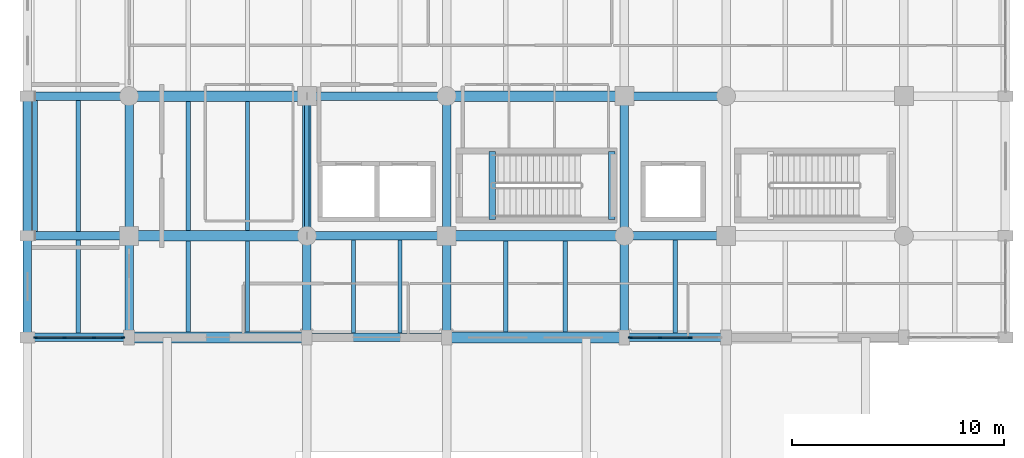
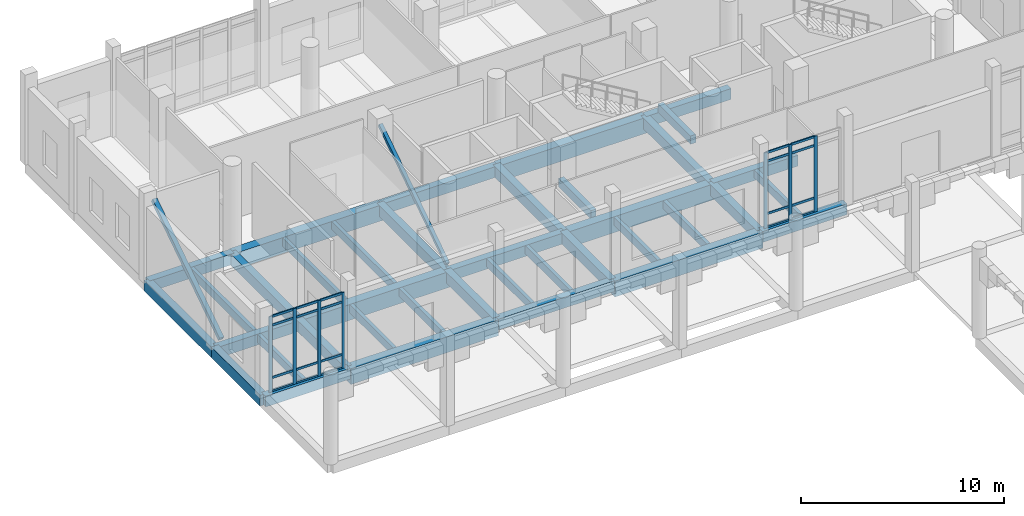
# One storey, part 16 of 72: 38 beams, 29 members, 2 elements without a shape of their own.
"""IFC4 building model written with IfcOpenShell, lengths in metres."""

from ifc_helpers import new_model, si_unit, direction, frame, origin, origin_2d, place, context, subcontext, project, spatial, rectangle, hollow_rectangle, extrude, material, material_profile, profile_set, type_object, element, aggregate, save


model = new_model("IFC4")

# Units and contexts
model_context = context("Model", 3, precision=1e-05, world=origin(), true_north=direction((0.0, 1.0)))
body_context = subcontext(model_context, "Body", "Model", "MODEL_VIEW")
ifc_project = project(units=[si_unit("LENGTHUNIT", "METRE"), si_unit("AREAUNIT", "SQUARE_METRE"), si_unit("VOLUMEUNIT", "CUBIC_METRE"), si_unit("PLANEANGLEUNIT", "RADIAN"), si_unit("MASSUNIT", "GRAM", prefix="KILO")], contexts=[model_context])

# Site, building, storey
site_placement = place(None, origin())
site = spatial("IfcSite", under=ifc_project, at=site_placement, CompositionType="ELEMENT")
building_placement = place(site_placement, origin())
building = spatial("IfcBuilding", under=site, at=building_placement, Name="Dornvale Research Institute", CompositionType="ELEMENT")
storey_placement = place(building_placement, origin())
storey = spatial("IfcBuildingStorey", under=building, at=storey_placement, Name="L00", CompositionType="ELEMENT", Elevation=0.0)

# Beams
ifc_material_1 = material(Name="Concrete f'c 45 MPa (C35/45)", Category="concrete")
ifc_material_profile_1 = material_profile(ifc_material_1, rectangle(XDim=0.300048828125, YDim=0.5, at=origin_2d()), Name="RC 300x500")
ifc_profile_set_1 = profile_set([ifc_material_profile_1], Name="Concrete f'c 45 MPa (C35/45)")
beam_type_1 = type_object("IfcBeamType", Name="Beam_RC300x500_Trim", PredefinedType="BEAM", material=ifc_profile_set_1)
for number, where, z_axis, x_axis, name in (
    (1, (21.949951171875, 104.580078125, -0.25), (0.0, 1.0, 0.0), (-1.0, 0.0, 0.0), "L00 ST-1 stair landing trimmer beam #1"),
    (2, (27.60009765625, 104.580078125, 2.25), (0.0, 1.0, 0.0), (-1.0, 0.0, 0.0), "L00 ST-1 half-landing support beam #14"),
):
    element("IfcBeam", number, at=place(storey_placement, frame(where, z_axis=z_axis, x_axis=x_axis)), inside=storey, type_object=beam_type_1, Name=name, PredefinedType="BEAM", context=body_context, shape_type="SweptSolid", body=[
        extrude(rectangle(XDim=0.300048828125, YDim=0.5, at=origin_2d()), origin(), (0.0, 0.0, 1.0), 3.199951171875),
    ])
ifc_material_2 = material(Name="Concrete f'c 45 MPa (C35/45)", Category="concrete")
ifc_material_profile_2 = material_profile(ifc_material_2, rectangle(XDim=0.39990234375, YDim=0.64990234375, at=origin_2d()), Name="RC 400x650")
ifc_profile_set_2 = profile_set([ifc_material_profile_2], Name="Concrete f'c 45 MPa (C35/45)")
beam_type_2 = type_object("IfcBeamType", Name="Beam_RC400x650_Floor", PredefinedType="BEAM", material=ifc_profile_set_2)
beam_1_placement = place(storey_placement, frame((0.0, 99.0, -0.324951171875), z_axis=(1.0, 0.0, 0.0), x_axis=(0.0, 1.0, 0.0)))
element("IfcBeam", 3, at=beam_1_placement, inside=storey, type_object=beam_type_2, Name="L00 primary girder #1", PredefinedType="BEAM", context=body_context, shape_type="SweptSolid", body=[
    extrude(rectangle(XDim=0.39990234375, YDim=0.64990234375, at=origin_2d()), origin(), (0.0, 0.0, 1.0), 4.800048828125),
])
beam_2_placement = place(storey_placement, frame((13.199951171875, 99.0, -0.324951171875), z_axis=(1.0, 0.0, 0.0), x_axis=(0.0, 1.0, 0.0)))
element("IfcBeam", 4, at=beam_2_placement, inside=storey, type_object=beam_type_2, Name="L00 primary girder #3", PredefinedType="BEAM", context=body_context, shape_type="SweptSolid", body=[
    extrude(rectangle(XDim=0.39990234375, YDim=0.64990234375, at=origin_2d()), origin(), (0.0, 0.0, 1.0), 6.60009765625),
])
for number, where, z_axis, x_axis, name in (
    (5, (28.199951171875, 99.0, -0.324951171875), (1.0, 0.0, 0.0), (0.0, 1.0, 0.0), "L00 primary girder #5"),
    (6, (0.0, 103.800048828125, -0.324951171875), (1.0, 0.0, 0.0), (0.0, 1.0, 0.0), "L00 primary girder #8"),
):
    element("IfcBeam", number, at=place(storey_placement, frame(where, z_axis=z_axis, x_axis=x_axis)), inside=storey, type_object=beam_type_2, Name=name, PredefinedType="BEAM", context=body_context, shape_type="SweptSolid", body=[
        extrude(rectangle(XDim=0.39990234375, YDim=0.64990234375, at=origin_2d()), origin(), (0.0, 0.0, 1.0), 4.800048828125),
    ])
beam_3_placement = place(storey_placement, frame((13.199951171875, 103.800048828125, -0.324951171875), z_axis=(1.0, 0.0, 0.0), x_axis=(0.0, 1.0, 0.0)))
element("IfcBeam", 7, at=beam_3_placement, inside=storey, type_object=beam_type_2, Name="L00 primary girder #10", PredefinedType="BEAM", context=body_context, shape_type="SweptSolid", body=[
    extrude(rectangle(XDim=0.39990234375, YDim=0.64990234375, at=origin_2d()), origin(), (0.0, 0.0, 1.0), 6.60009765625),
])
for number, where, z_axis, x_axis, name in (
    (8, (28.199951171875, 103.800048828125, -0.324951171875), (1.0, 0.0, 0.0), (0.0, 1.0, 0.0), "L00 primary girder #12"),
    (9, (0.0, 110.39990234375, -0.324951171875), (1.0, 0.0, 0.0), (0.0, 1.0, 0.0), "L00 primary girder #15"),
):
    element("IfcBeam", number, at=place(storey_placement, frame(where, z_axis=z_axis, x_axis=x_axis)), inside=storey, type_object=beam_type_2, Name=name, PredefinedType="BEAM", context=body_context, shape_type="SweptSolid", body=[
        extrude(rectangle(XDim=0.39990234375, YDim=0.64990234375, at=origin_2d()), origin(), (0.0, 0.0, 1.0), 4.800048828125),
    ])
beam_4_placement = place(storey_placement, frame((13.199951171875, 110.39990234375, -0.324951171875), z_axis=(1.0, 0.0, 0.0), x_axis=(0.0, 1.0, 0.0)))
element("IfcBeam", 10, at=beam_4_placement, inside=storey, type_object=beam_type_2, Name="L00 primary girder #17", PredefinedType="BEAM", context=body_context, shape_type="SweptSolid", body=[
    extrude(rectangle(XDim=0.39990234375, YDim=0.64990234375, at=origin_2d()), origin(), (0.0, 0.0, 1.0), 6.60009765625),
])
for number, where, z_axis, x_axis, name in (
    (11, (28.199951171875, 110.39990234375, -0.324951171875), (1.0, 0.0, 0.0), (0.0, 1.0, 0.0), "L00 primary girder #19"),
    (12, (0.0, 99.0, -0.324951171875), (0.0, 1.0, 0.0), (-1.0, 0.0, 0.0), "L00 transverse girder #36"),
):
    element("IfcBeam", number, at=place(storey_placement, frame(where, z_axis=z_axis, x_axis=x_axis)), inside=storey, type_object=beam_type_2, Name=name, PredefinedType="BEAM", context=body_context, shape_type="SweptSolid", body=[
        extrude(rectangle(XDim=0.39990234375, YDim=0.64990234375, at=origin_2d()), origin(), (0.0, 0.0, 1.0), 4.800048828125),
    ])
beam_5_placement = place(storey_placement, frame((0.0, 103.800048828125, -0.324951171875), z_axis=(0.0, 1.0, 0.0), x_axis=(-1.0, 0.0, 0.0)))
element("IfcBeam", 13, at=beam_5_placement, inside=storey, type_object=beam_type_2, Name="L00 transverse girder #37", PredefinedType="BEAM", context=body_context, shape_type="SweptSolid", body=[
    extrude(rectangle(XDim=0.39990234375, YDim=0.64990234375, at=origin_2d()), origin(), (0.0, 0.0, 1.0), 6.599853515625),
])
beam_6_placement = place(storey_placement, frame((4.800048828125, 99.0, -0.324951171875), z_axis=(0.0, 1.0, 0.0), x_axis=(-1.0, 0.0, 0.0)))
element("IfcBeam", 14, at=beam_6_placement, inside=storey, type_object=beam_type_2, Name="L00 transverse girder #40", PredefinedType="BEAM", context=body_context, shape_type="SweptSolid", body=[
    extrude(rectangle(XDim=0.39990234375, YDim=0.64990234375, at=origin_2d()), origin(), (0.0, 0.0, 1.0), 4.800048828125),
])
beam_7_placement = place(storey_placement, frame((4.800048828125, 103.800048828125, -0.324951171875), z_axis=(0.0, 1.0, 0.0), x_axis=(-1.0, 0.0, 0.0)))
element("IfcBeam", 15, at=beam_7_placement, inside=storey, type_object=beam_type_2, Name="L00 transverse girder #41", PredefinedType="BEAM", context=body_context, shape_type="SweptSolid", body=[
    extrude(rectangle(XDim=0.39990234375, YDim=0.64990234375, at=origin_2d()), origin(), (0.0, 0.0, 1.0), 6.599853515625),
])
beam_8_placement = place(storey_placement, frame((13.199951171875, 99.0, -0.324951171875), z_axis=(0.0, 1.0, 0.0), x_axis=(-1.0, 0.0, 0.0)))
element("IfcBeam", 16, at=beam_8_placement, inside=storey, type_object=beam_type_2, Name="L00 transverse girder #44", PredefinedType="BEAM", context=body_context, shape_type="SweptSolid", body=[
    extrude(rectangle(XDim=0.39990234375, YDim=0.64990234375, at=origin_2d()), origin(), (0.0, 0.0, 1.0), 4.800048828125),
])
beam_9_placement = place(storey_placement, frame((13.199951171875, 103.800048828125, -0.324951171875), z_axis=(0.0, 1.0, 0.0), x_axis=(-1.0, 0.0, 0.0)))
element("IfcBeam", 17, at=beam_9_placement, inside=storey, type_object=beam_type_2, Name="L00 transverse girder #45", PredefinedType="BEAM", context=body_context, shape_type="SweptSolid", body=[
    extrude(rectangle(XDim=0.39990234375, YDim=0.64990234375, at=origin_2d()), origin(), (0.0, 0.0, 1.0), 6.599853515625),
])
beam_10_placement = place(storey_placement, frame((19.800048828125, 99.0, -0.324951171875), z_axis=(0.0, 1.0, 0.0), x_axis=(-1.0, 0.0, 0.0)))
element("IfcBeam", 18, at=beam_10_placement, inside=storey, type_object=beam_type_2, Name="L00 transverse girder #48", PredefinedType="BEAM", context=body_context, shape_type="SweptSolid", body=[
    extrude(rectangle(XDim=0.39990234375, YDim=0.64990234375, at=origin_2d()), origin(), (0.0, 0.0, 1.0), 4.800048828125),
])
beam_11_placement = place(storey_placement, frame((19.800048828125, 103.800048828125, -0.324951171875), z_axis=(0.0, 1.0, 0.0), x_axis=(-1.0, 0.0, 0.0)))
element("IfcBeam", 19, at=beam_11_placement, inside=storey, type_object=beam_type_2, Name="L00 transverse girder #49", PredefinedType="BEAM", context=body_context, shape_type="SweptSolid", body=[
    extrude(rectangle(XDim=0.39990234375, YDim=0.64990234375, at=origin_2d()), origin(), (0.0, 0.0, 1.0), 6.599853515625),
])
beam_12_placement = place(storey_placement, frame((28.199951171875, 99.0, -0.324951171875), z_axis=(0.0, 1.0, 0.0), x_axis=(-1.0, 0.0, 0.0)))
element("IfcBeam", 20, at=beam_12_placement, inside=storey, type_object=beam_type_2, Name="L00 transverse girder #52", PredefinedType="BEAM", context=body_context, shape_type="SweptSolid", body=[
    extrude(rectangle(XDim=0.39990234375, YDim=0.64990234375, at=origin_2d()), origin(), (0.0, 0.0, 1.0), 4.800048828125),
])
beam_13_placement = place(storey_placement, frame((28.199951171875, 103.800048828125, -0.324951171875), z_axis=(0.0, 1.0, 0.0), x_axis=(-1.0, 0.0, 0.0)))
element("IfcBeam", 21, at=beam_13_placement, inside=storey, type_object=beam_type_2, Name="L00 transverse girder #53", PredefinedType="BEAM", context=body_context, shape_type="SweptSolid", body=[
    extrude(rectangle(XDim=0.39990234375, YDim=0.64990234375, at=origin_2d()), origin(), (0.0, 0.0, 1.0), 6.599853515625),
])
ifc_material_3 = material(Name="Concrete f'c 45 MPa (C35/45)", Category="concrete")
ifc_material_profile_3 = material_profile(ifc_material_3, rectangle(XDim=0.5, YDim=0.949951171875, at=origin_2d()), Name="RC 500x950")
ifc_profile_set_3 = profile_set([ifc_material_profile_3], Name="Concrete f'c 45 MPa (C35/45)")
beam_type_3 = type_object("IfcBeamType", Name="Beam_RC500x950_Girder", PredefinedType="BEAM", material=ifc_profile_set_3)
for number, where, z_axis, x_axis, name in (
    (22, (4.800048828125, 99.0, -0.47509765625), (1.0, 0.0, 0.0), (0.0, 1.0, 0.0), "L00 primary girder #2"),
    (23, (19.800048828125, 99.0, -0.47509765625), (1.0, 0.0, 0.0), (0.0, 1.0, 0.0), "L00 primary girder #4"),
    (24, (4.800048828125, 103.800048828125, -0.47509765625), (1.0, 0.0, 0.0), (0.0, 1.0, 0.0), "L00 primary girder #9"),
    (25, (19.800048828125, 103.800048828125, -0.47509765625), (1.0, 0.0, 0.0), (0.0, 1.0, 0.0), "L00 primary girder #11"),
    (26, (4.800048828125, 110.39990234375, -0.47509765625), (1.0, 0.0, 0.0), (0.0, 1.0, 0.0), "L00 primary girder #16"),
    (27, (19.800048828125, 110.39990234375, -0.47509765625), (1.0, 0.0, 0.0), (0.0, 1.0, 0.0), "L00 primary girder #18"),
):
    element("IfcBeam", number, at=place(storey_placement, frame(where, z_axis=z_axis, x_axis=x_axis)), inside=storey, type_object=beam_type_3, Name=name, PredefinedType="BEAM", context=body_context, shape_type="SweptSolid", body=[
        extrude(rectangle(XDim=0.5, YDim=0.949951171875, at=origin_2d()), origin(), (0.0, 0.0, 1.0), 8.39990234375),
    ])

# Members
ifc_material_4 = material(Name="Steel ASTM A500 Grade C", Category="steel")
ifc_material_profile_4 = material_profile(ifc_material_4, hollow_rectangle(XDim=0.202880859375, YDim=0.202880859375, WallThickness=0.0087890625, at=origin_2d()), Name="HSS203X203X9.5")
ifc_profile_set_4 = profile_set([ifc_material_profile_4], Name="Steel ASTM A500 Grade C")
member_type_1 = type_object("IfcMemberType", Name="Brace_HSS203X203_Int", PredefinedType="BRACE", material=ifc_profile_set_4)
member_1_placement = place(storey_placement, frame((13.199951171875, 103.800048828125, 0.300048828125), z_axis=(0.0, 0.834961107536, 0.55030895768), x_axis=(-1.0, 0.0, 0.0)))
element("IfcMember", 28, at=member_1_placement, inside=storey, type_object=member_type_1, Name="L00 seismic diagonal brace #37", PredefinedType="BRACE", context=body_context, shape_type="SweptSolid", body=[
    extrude(hollow_rectangle(XDim=0.202880859375, YDim=0.202880859375, WallThickness=0.0087890625, at=origin_2d()), origin(), (0.0, 0.0, 1.0), 7.904296875),
])
ifc_material_5 = material(Name="Steel ASTM A500 Grade C", Category="steel")
ifc_material_profile_5 = material_profile(ifc_material_5, hollow_rectangle(XDim=0.25390625, YDim=0.25390625, WallThickness=0.01171875, at=origin_2d()), Name="HSS254X254X12.7")
ifc_profile_set_5 = profile_set([ifc_material_profile_5], Name="Steel ASTM A500 Grade C")
member_type_2 = type_object("IfcMemberType", Name="Brace_HSS254X254_Int", PredefinedType="BRACE", material=ifc_profile_set_5)
member_2_placement = place(storey_placement, frame((0.360107421875, 103.800048828125, 0.300048828125), z_axis=(0.0, 0.834961107536, 0.55030895768), x_axis=(-1.0, 0.0, 0.0)))
element("IfcMember", 29, at=member_2_placement, inside=storey, type_object=member_type_2, Name="L00 seismic diagonal brace #32", PredefinedType="BRACE", context=body_context, shape_type="SweptSolid", body=[
    extrude(hollow_rectangle(XDim=0.25390625, YDim=0.25390625, WallThickness=0.01171875, at=origin_2d()), origin(), (0.0, 0.0, 1.0), 7.904296875),
])

# Beams
ifc_material_6 = material(Name="Concrete f'c 45 MPa (C35/45)", Category="concrete")
ifc_material_profile_6 = material_profile(ifc_material_6, rectangle(XDim=0.199951171875, YDim=0.485107421875, at=origin_2d()), Name="RC 200x485")
ifc_profile_set_6 = profile_set([ifc_material_profile_6], Name="Concrete f'c 45 MPa (C35/45)")
beam_type_4 = type_object("IfcBeamType", Name="Joist_RC200x485_Rib", PredefinedType="JOIST", material=ifc_profile_set_6)
beam_14_placement = place(storey_placement, frame((2.39990234375, 99.199951171875, -0.242431640625), z_axis=(0.0, 1.0, 0.0), x_axis=(-1.0, 0.0, 0.0)))
element("IfcBeam", 30, at=beam_14_placement, inside=storey, type_object=beam_type_4, Name="L00 laboratory waffle joist #1", PredefinedType="JOIST", context=body_context, shape_type="SweptSolid", body=[
    extrude(rectangle(XDim=0.199951171875, YDim=0.485107421875, at=origin_2d()), origin(), (0.0, 0.0, 1.0), 4.400146484375),
])
beam_15_placement = place(storey_placement, frame((2.39990234375, 104.0, -0.242431640625), z_axis=(0.0, 1.0, 0.0), x_axis=(-1.0, 0.0, 0.0)))
element("IfcBeam", 31, at=beam_15_placement, inside=storey, type_object=beam_type_4, Name="L00 laboratory waffle joist #2", PredefinedType="JOIST", context=body_context, shape_type="SweptSolid", body=[
    extrude(rectangle(XDim=0.199951171875, YDim=0.485107421875, at=origin_2d()), origin(), (0.0, 0.0, 1.0), 6.199951171875),
])
for number, where, z_axis, x_axis, name in (
    (32, (7.60009765625, 99.25, -0.242431640625), (0.0, 1.0, 0.0), (-1.0, 0.0, 0.0), "L00 laboratory waffle joist #5"),
    (33, (10.39990234375, 99.25, -0.242431640625), (0.0, 1.0, 0.0), (-1.0, 0.0, 0.0), "L00 laboratory waffle joist #6"),
):
    element("IfcBeam", number, at=place(storey_placement, frame(where, z_axis=z_axis, x_axis=x_axis)), inside=storey, type_object=beam_type_4, Name=name, PredefinedType="JOIST", context=body_context, shape_type="SweptSolid", body=[
        extrude(rectangle(XDim=0.199951171875, YDim=0.485107421875, at=origin_2d()), origin(), (0.0, 0.0, 1.0), 4.300048828125),
    ])
for number, where, z_axis, x_axis, name in (
    (34, (7.60009765625, 104.050048828125, -0.242431640625), (0.0, 1.0, 0.0), (-1.0, 0.0, 0.0), "L00 laboratory waffle joist #7"),
    (35, (10.39990234375, 104.050048828125, -0.242431640625), (0.0, 1.0, 0.0), (-1.0, 0.0, 0.0), "L00 laboratory waffle joist #8"),
):
    element("IfcBeam", number, at=place(storey_placement, frame(where, z_axis=z_axis, x_axis=x_axis)), inside=storey, type_object=beam_type_4, Name=name, PredefinedType="JOIST", context=body_context, shape_type="SweptSolid", body=[
        extrude(rectangle(XDim=0.199951171875, YDim=0.485107421875, at=origin_2d()), origin(), (0.0, 0.0, 1.0), 6.099853515625),
    ])
for number, where, z_axis, x_axis, name in (
    (36, (15.39990234375, 99.199951171875, -0.242431640625), (0.0, 1.0, 0.0), (-1.0, 0.0, 0.0), "L00 laboratory waffle joist #13"),
    (37, (17.60009765625, 99.199951171875, -0.242431640625), (0.0, 1.0, 0.0), (-1.0, 0.0, 0.0), "L00 laboratory waffle joist #14"),
):
    element("IfcBeam", number, at=place(storey_placement, frame(where, z_axis=z_axis, x_axis=x_axis)), inside=storey, type_object=beam_type_4, Name=name, PredefinedType="JOIST", context=body_context, shape_type="SweptSolid", body=[
        extrude(rectangle(XDim=0.199951171875, YDim=0.485107421875, at=origin_2d()), origin(), (0.0, 0.0, 1.0), 4.400146484375),
    ])
for number, where, z_axis, x_axis, name in (
    (38, (22.60009765625, 99.25, -0.242431640625), (0.0, 1.0, 0.0), (-1.0, 0.0, 0.0), "L00 laboratory waffle joist #19"),
    (39, (25.39990234375, 99.25, -0.242431640625), (0.0, 1.0, 0.0), (-1.0, 0.0, 0.0), "L00 laboratory waffle joist #20"),
):
    element("IfcBeam", number, at=place(storey_placement, frame(where, z_axis=z_axis, x_axis=x_axis)), inside=storey, type_object=beam_type_4, Name=name, PredefinedType="JOIST", context=body_context, shape_type="SweptSolid", body=[
        extrude(rectangle(XDim=0.199951171875, YDim=0.485107421875, at=origin_2d()), origin(), (0.0, 0.0, 1.0), 4.300048828125),
    ])
beam_16_placement = place(storey_placement, frame((30.60009765625, 99.199951171875, -0.242431640625), z_axis=(0.0, 1.0, 0.0), x_axis=(-1.0, 0.0, 0.0)))
element("IfcBeam", 40, at=beam_16_placement, inside=storey, type_object=beam_type_4, Name="L00 laboratory waffle joist #25", PredefinedType="JOIST", context=body_context, shape_type="SweptSolid", body=[
    extrude(rectangle(XDim=0.199951171875, YDim=0.485107421875, at=origin_2d()), origin(), (0.0, 0.0, 1.0), 4.400146484375),
])

# Curtain wall, members
ifc_material_7 = material(Name="Low-E Argon Double Insulating Glazing Unit", Category="glass")
curtain_wall_type_1 = type_object("IfcCurtainWallType", Name="UnitisedCurtainWall_V5_4300x4550", PredefinedType="USERDEFINED", material=ifc_material_7)
curtain_wall_1_placement = place(storey_placement, origin())
curtain_wall_1 = element("IfcCurtainWall", 41, at=curtain_wall_1_placement, inside=storey, type_object=curtain_wall_type_1, Name="L00 V5 unitised curtain wall CW-22 #131", ObjectType="UNITISED CURTAIN WALL", PredefinedType="USERDEFINED")
ifc_material_8 = material(Name="Anodized Aluminum AA 6063-T6 Thermally Broken Frame", Category="aluminium")
ifc_material_profile_7 = material_profile(ifc_material_8, rectangle(XDim=0.06494140625, YDim=0.179931640625, at=origin_2d()), Name="ALU MULLION 65x180")
ifc_profile_set_7 = profile_set([ifc_material_profile_7], Name="Anodized Aluminum AA 6063-T6 Thermally Broken Frame")
member_type_3 = type_object("IfcMemberType", Name="Mullion_CW_65x180", PredefinedType="MULLION", material=ifc_profile_set_7)
member_3_placement = place(storey_placement, frame((31.316650390625, 99.0, 0.0), z_axis=(0.0, 0.0, 1.0), x_axis=(0.0, -1.0, 0.0)))
member_3 = element("IfcMember", 42, at=member_3_placement, type_object=member_type_3, Name="CW-22 mullion 2", PredefinedType="MULLION", context=body_context, shape_type="SweptSolid", body=[
    extrude(rectangle(XDim=0.06494140625, YDim=0.179931640625, at=origin_2d()), origin(), (0.0, 0.0, 1.0), 4.550048828125),
])
member_4_placement = place(storey_placement, frame((29.88330078125, 99.0, 0.0), z_axis=(0.0, 0.0, 1.0), x_axis=(0.0, -1.0, 0.0)))
member_4 = element("IfcMember", 43, at=member_4_placement, type_object=member_type_3, Name="CW-22 mullion 3", PredefinedType="MULLION", context=body_context, shape_type="SweptSolid", body=[
    extrude(rectangle(XDim=0.06494140625, YDim=0.179931640625, at=origin_2d()), origin(), (0.0, 0.0, 1.0), 4.550048828125),
])
member_5_placement = place(storey_placement, frame((28.482421875, 99.0, 0.0), z_axis=(0.0, 0.0, 1.0), x_axis=(0.0, -1.0, 0.0)))
member_5 = element("IfcMember", 44, at=member_5_placement, type_object=member_type_3, Name="CW-22 mullion 4", PredefinedType="MULLION", context=body_context, shape_type="SweptSolid", body=[
    extrude(rectangle(XDim=0.06494140625, YDim=0.179931640625, at=origin_2d()), origin(), (0.0, 0.0, 1.0), 4.550048828125),
])

ifc_material_9 = material(Name="Low-E Argon Double Insulating Glazing Unit", Category="glass")
curtain_wall_type_2 = type_object("IfcCurtainWallType", Name="UnitisedCurtainWall_V5_4200x4550", PredefinedType="USERDEFINED", material=ifc_material_9)
curtain_wall_2_placement = place(storey_placement, origin())
curtain_wall_2 = element("IfcCurtainWall", 45, at=curtain_wall_2_placement, inside=storey, type_object=curtain_wall_type_2, Name="L00 V5 unitised curtain wall CW-23 #132", ObjectType="UNITISED CURTAIN WALL", PredefinedType="USERDEFINED")
member_6_placement = place(storey_placement, frame((4.517578125, 99.0, 0.0), z_axis=(0.0, 0.0, 1.0), x_axis=(0.0, -1.0, 0.0)))
member_6 = element("IfcMember", 46, at=member_6_placement, type_object=member_type_3, Name="CW-23 mullion 1", PredefinedType="MULLION", context=body_context, shape_type="SweptSolid", body=[
    extrude(rectangle(XDim=0.06494140625, YDim=0.179931640625, at=origin_2d()), origin(), (0.0, 0.0, 1.0), 4.550048828125),
])
member_7_placement = place(storey_placement, frame((3.14990234375, 99.0, 0.0), z_axis=(0.0, 0.0, 1.0), x_axis=(0.0, -1.0, 0.0)))
member_7 = element("IfcMember", 47, at=member_7_placement, type_object=member_type_3, Name="CW-23 mullion 2", PredefinedType="MULLION", context=body_context, shape_type="SweptSolid", body=[
    extrude(rectangle(XDim=0.06494140625, YDim=0.179931640625, at=origin_2d()), origin(), (0.0, 0.0, 1.0), 4.550048828125),
])
member_8_placement = place(storey_placement, frame((1.75, 99.0, 0.0), z_axis=(0.0, 0.0, 1.0), x_axis=(0.0, -1.0, 0.0)))
member_8 = element("IfcMember", 48, at=member_8_placement, type_object=member_type_3, Name="CW-23 mullion 3", PredefinedType="MULLION", context=body_context, shape_type="SweptSolid", body=[
    extrude(rectangle(XDim=0.06494140625, YDim=0.179931640625, at=origin_2d()), origin(), (0.0, 0.0, 1.0), 4.550048828125),
])
member_9_placement = place(storey_placement, frame((0.382568359375, 99.0, 0.0), z_axis=(0.0, 0.0, 1.0), x_axis=(0.0, -1.0, 0.0)))
member_9 = element("IfcMember", 49, at=member_9_placement, type_object=member_type_3, Name="CW-23 mullion 4", PredefinedType="MULLION", context=body_context, shape_type="SweptSolid", body=[
    extrude(rectangle(XDim=0.06494140625, YDim=0.179931640625, at=origin_2d()), origin(), (0.0, 0.0, 1.0), 4.550048828125),
])

# Member
ifc_material_10 = material(Name="Anodized Aluminum AA 6063-T6 Thermally Broken Frame", Category="aluminium")
ifc_material_profile_8 = material_profile(ifc_material_10, rectangle(XDim=0.06494140625, YDim=0.135009765625, at=origin_2d()), Name="ALU TRANSOM 65x135")
ifc_profile_set_8 = profile_set([ifc_material_profile_8], Name="Anodized Aluminum AA 6063-T6 Thermally Broken Frame")
member_type_4 = type_object("IfcMemberType", Name="Transom_CW_65x135", PredefinedType="USERDEFINED", material=ifc_profile_set_8)
member_10_placement = place(storey_placement, frame((31.2841796875, 99.0, 0.032470703125), z_axis=(-1.0, 0.0, 0.0), x_axis=(0.0, -1.0, 0.0)))
member_10 = element("IfcMember", 50, at=member_10_placement, type_object=member_type_4, Name="CW-22 transom 2.1", ObjectType="TRANSOM", PredefinedType="USERDEFINED", context=body_context, shape_type="SweptSolid", body=[
    extrude(rectangle(XDim=0.06494140625, YDim=0.135009765625, at=origin_2d()), origin(), (0.0, 0.0, 1.0), 1.368408203125),
])

member_11_placement = place(storey_placement, frame((31.2841796875, 99.0, 0.85009765625), z_axis=(-1.0, 0.0, 0.0), x_axis=(0.0, -1.0, 0.0)))
member_11 = element("IfcMember", 51, at=member_11_placement, type_object=member_type_4, Name="CW-22 transom 2.2", ObjectType="TRANSOM", PredefinedType="USERDEFINED", context=body_context, shape_type="SweptSolid", body=[
    extrude(rectangle(XDim=0.06494140625, YDim=0.135009765625, at=origin_2d()), origin(), (0.0, 0.0, 1.0), 1.368408203125),
])

member_12_placement = place(storey_placement, frame((31.2841796875, 99.0, 4.0), z_axis=(-1.0, 0.0, 0.0), x_axis=(0.0, -1.0, 0.0)))
member_12 = element("IfcMember", 52, at=member_12_placement, type_object=member_type_4, Name="CW-22 transom 2.3", ObjectType="TRANSOM", PredefinedType="USERDEFINED", context=body_context, shape_type="SweptSolid", body=[
    extrude(rectangle(XDim=0.06494140625, YDim=0.135009765625, at=origin_2d()), origin(), (0.0, 0.0, 1.0), 1.368408203125),
])

member_13_placement = place(storey_placement, frame((31.2841796875, 99.0, 4.517578125), z_axis=(-1.0, 0.0, 0.0), x_axis=(0.0, -1.0, 0.0)))
member_13 = element("IfcMember", 53, at=member_13_placement, type_object=member_type_4, Name="CW-22 transom 2.4", ObjectType="TRANSOM", PredefinedType="USERDEFINED", context=body_context, shape_type="SweptSolid", body=[
    extrude(rectangle(XDim=0.06494140625, YDim=0.135009765625, at=origin_2d()), origin(), (0.0, 0.0, 1.0), 1.368408203125),
])

member_14_placement = place(storey_placement, frame((29.850830078125, 99.0, 0.032470703125), z_axis=(-1.0, 0.0, 0.0), x_axis=(0.0, -1.0, 0.0)))
member_14 = element("IfcMember", 54, at=member_14_placement, type_object=member_type_4, Name="CW-22 transom 3.1", ObjectType="TRANSOM", PredefinedType="USERDEFINED", context=body_context, shape_type="SweptSolid", body=[
    extrude(rectangle(XDim=0.06494140625, YDim=0.135009765625, at=origin_2d()), origin(), (0.0, 0.0, 1.0), 1.3359375),
])

member_15_placement = place(storey_placement, frame((29.850830078125, 99.0, 0.85009765625), z_axis=(-1.0, 0.0, 0.0), x_axis=(0.0, -1.0, 0.0)))
member_15 = element("IfcMember", 55, at=member_15_placement, type_object=member_type_4, Name="CW-22 transom 3.2", ObjectType="TRANSOM", PredefinedType="USERDEFINED", context=body_context, shape_type="SweptSolid", body=[
    extrude(rectangle(XDim=0.06494140625, YDim=0.135009765625, at=origin_2d()), origin(), (0.0, 0.0, 1.0), 1.3359375),
])

member_16_placement = place(storey_placement, frame((29.850830078125, 99.0, 4.0), z_axis=(-1.0, 0.0, 0.0), x_axis=(0.0, -1.0, 0.0)))
member_16 = element("IfcMember", 56, at=member_16_placement, type_object=member_type_4, Name="CW-22 transom 3.3", ObjectType="TRANSOM", PredefinedType="USERDEFINED", context=body_context, shape_type="SweptSolid", body=[
    extrude(rectangle(XDim=0.06494140625, YDim=0.135009765625, at=origin_2d()), origin(), (0.0, 0.0, 1.0), 1.3359375),
])

member_17_placement = place(storey_placement, frame((29.850830078125, 99.0, 4.517578125), z_axis=(-1.0, 0.0, 0.0), x_axis=(0.0, -1.0, 0.0)))
member_17 = element("IfcMember", 57, at=member_17_placement, type_object=member_type_4, Name="CW-22 transom 3.4", ObjectType="TRANSOM", PredefinedType="USERDEFINED", context=body_context, shape_type="SweptSolid", body=[
    extrude(rectangle(XDim=0.06494140625, YDim=0.135009765625, at=origin_2d()), origin(), (0.0, 0.0, 1.0), 1.3359375),
])

aggregate(curtain_wall_1, [member_3, member_4, member_5, member_10, member_11, member_12, member_13, member_14, member_15, member_16, member_17])

member_18_placement = place(storey_placement, frame((4.485107421875, 99.0, 0.032470703125), z_axis=(-1.0, 0.0, 0.0), x_axis=(0.0, -1.0, 0.0)))
member_18 = element("IfcMember", 58, at=member_18_placement, type_object=member_type_4, Name="CW-23 transom 1.1", ObjectType="TRANSOM", PredefinedType="USERDEFINED", context=body_context, shape_type="SweptSolid", body=[
    extrude(rectangle(XDim=0.06494140625, YDim=0.135009765625, at=origin_2d()), origin(), (0.0, 0.0, 1.0), 1.302490234375),
])

member_19_placement = place(storey_placement, frame((4.485107421875, 99.0, 0.85009765625), z_axis=(-1.0, 0.0, 0.0), x_axis=(0.0, -1.0, 0.0)))
member_19 = element("IfcMember", 59, at=member_19_placement, type_object=member_type_4, Name="CW-23 transom 1.2", ObjectType="TRANSOM", PredefinedType="USERDEFINED", context=body_context, shape_type="SweptSolid", body=[
    extrude(rectangle(XDim=0.06494140625, YDim=0.135009765625, at=origin_2d()), origin(), (0.0, 0.0, 1.0), 1.302490234375),
])

member_20_placement = place(storey_placement, frame((4.485107421875, 99.0, 4.0), z_axis=(-1.0, 0.0, 0.0), x_axis=(0.0, -1.0, 0.0)))
member_20 = element("IfcMember", 60, at=member_20_placement, type_object=member_type_4, Name="CW-23 transom 1.3", ObjectType="TRANSOM", PredefinedType="USERDEFINED", context=body_context, shape_type="SweptSolid", body=[
    extrude(rectangle(XDim=0.06494140625, YDim=0.135009765625, at=origin_2d()), origin(), (0.0, 0.0, 1.0), 1.302490234375),
])

member_21_placement = place(storey_placement, frame((4.485107421875, 99.0, 4.517578125), z_axis=(-1.0, 0.0, 0.0), x_axis=(0.0, -1.0, 0.0)))
member_21 = element("IfcMember", 61, at=member_21_placement, type_object=member_type_4, Name="CW-23 transom 1.4", ObjectType="TRANSOM", PredefinedType="USERDEFINED", context=body_context, shape_type="SweptSolid", body=[
    extrude(rectangle(XDim=0.06494140625, YDim=0.135009765625, at=origin_2d()), origin(), (0.0, 0.0, 1.0), 1.302490234375),
])

member_22_placement = place(storey_placement, frame((3.117431640625, 99.0, 0.032470703125), z_axis=(-1.0, 0.0, 0.0), x_axis=(0.0, -1.0, 0.0)))
member_22 = element("IfcMember", 62, at=member_22_placement, type_object=member_type_4, Name="CW-23 transom 2.1", ObjectType="TRANSOM", PredefinedType="USERDEFINED", context=body_context, shape_type="SweptSolid", body=[
    extrude(rectangle(XDim=0.06494140625, YDim=0.135009765625, at=origin_2d()), origin(), (0.0, 0.0, 1.0), 1.3349609375),
])

member_23_placement = place(storey_placement, frame((3.117431640625, 99.0, 0.85009765625), z_axis=(-1.0, 0.0, 0.0), x_axis=(0.0, -1.0, 0.0)))
member_23 = element("IfcMember", 63, at=member_23_placement, type_object=member_type_4, Name="CW-23 transom 2.2", ObjectType="TRANSOM", PredefinedType="USERDEFINED", context=body_context, shape_type="SweptSolid", body=[
    extrude(rectangle(XDim=0.06494140625, YDim=0.135009765625, at=origin_2d()), origin(), (0.0, 0.0, 1.0), 1.3349609375),
])

member_24_placement = place(storey_placement, frame((3.117431640625, 99.0, 4.0), z_axis=(-1.0, 0.0, 0.0), x_axis=(0.0, -1.0, 0.0)))
member_24 = element("IfcMember", 64, at=member_24_placement, type_object=member_type_4, Name="CW-23 transom 2.3", ObjectType="TRANSOM", PredefinedType="USERDEFINED", context=body_context, shape_type="SweptSolid", body=[
    extrude(rectangle(XDim=0.06494140625, YDim=0.135009765625, at=origin_2d()), origin(), (0.0, 0.0, 1.0), 1.3349609375),
])

member_25_placement = place(storey_placement, frame((3.117431640625, 99.0, 4.517578125), z_axis=(-1.0, 0.0, 0.0), x_axis=(0.0, -1.0, 0.0)))
member_25 = element("IfcMember", 65, at=member_25_placement, type_object=member_type_4, Name="CW-23 transom 2.4", ObjectType="TRANSOM", PredefinedType="USERDEFINED", context=body_context, shape_type="SweptSolid", body=[
    extrude(rectangle(XDim=0.06494140625, YDim=0.135009765625, at=origin_2d()), origin(), (0.0, 0.0, 1.0), 1.3349609375),
])

member_26_placement = place(storey_placement, frame((1.717529296875, 99.0, 0.032470703125), z_axis=(-1.0, 0.0, 0.0), x_axis=(0.0, -1.0, 0.0)))
member_26 = element("IfcMember", 66, at=member_26_placement, type_object=member_type_4, Name="CW-23 transom 3.1", ObjectType="TRANSOM", PredefinedType="USERDEFINED", context=body_context, shape_type="SweptSolid", body=[
    extrude(rectangle(XDim=0.06494140625, YDim=0.135009765625, at=origin_2d()), origin(), (0.0, 0.0, 1.0), 1.302490234375),
])

member_27_placement = place(storey_placement, frame((1.717529296875, 99.0, 0.85009765625), z_axis=(-1.0, 0.0, 0.0), x_axis=(0.0, -1.0, 0.0)))
member_27 = element("IfcMember", 67, at=member_27_placement, type_object=member_type_4, Name="CW-23 transom 3.2", ObjectType="TRANSOM", PredefinedType="USERDEFINED", context=body_context, shape_type="SweptSolid", body=[
    extrude(rectangle(XDim=0.06494140625, YDim=0.135009765625, at=origin_2d()), origin(), (0.0, 0.0, 1.0), 1.302490234375),
])

member_28_placement = place(storey_placement, frame((1.717529296875, 99.0, 4.0), z_axis=(-1.0, 0.0, 0.0), x_axis=(0.0, -1.0, 0.0)))
member_28 = element("IfcMember", 68, at=member_28_placement, type_object=member_type_4, Name="CW-23 transom 3.3", ObjectType="TRANSOM", PredefinedType="USERDEFINED", context=body_context, shape_type="SweptSolid", body=[
    extrude(rectangle(XDim=0.06494140625, YDim=0.135009765625, at=origin_2d()), origin(), (0.0, 0.0, 1.0), 1.302490234375),
])

member_29_placement = place(storey_placement, frame((1.717529296875, 99.0, 4.517578125), z_axis=(-1.0, 0.0, 0.0), x_axis=(0.0, -1.0, 0.0)))
member_29 = element("IfcMember", 69, at=member_29_placement, type_object=member_type_4, Name="CW-23 transom 3.4", ObjectType="TRANSOM", PredefinedType="USERDEFINED", context=body_context, shape_type="SweptSolid", body=[
    extrude(rectangle(XDim=0.06494140625, YDim=0.135009765625, at=origin_2d()), origin(), (0.0, 0.0, 1.0), 1.302490234375),
])

aggregate(curtain_wall_2, [member_6, member_7, member_8, member_9, member_18, member_19, member_20, member_21, member_22, member_23, member_24, member_25, member_26, member_27, member_28, member_29])

save(model, "model.ifc")
